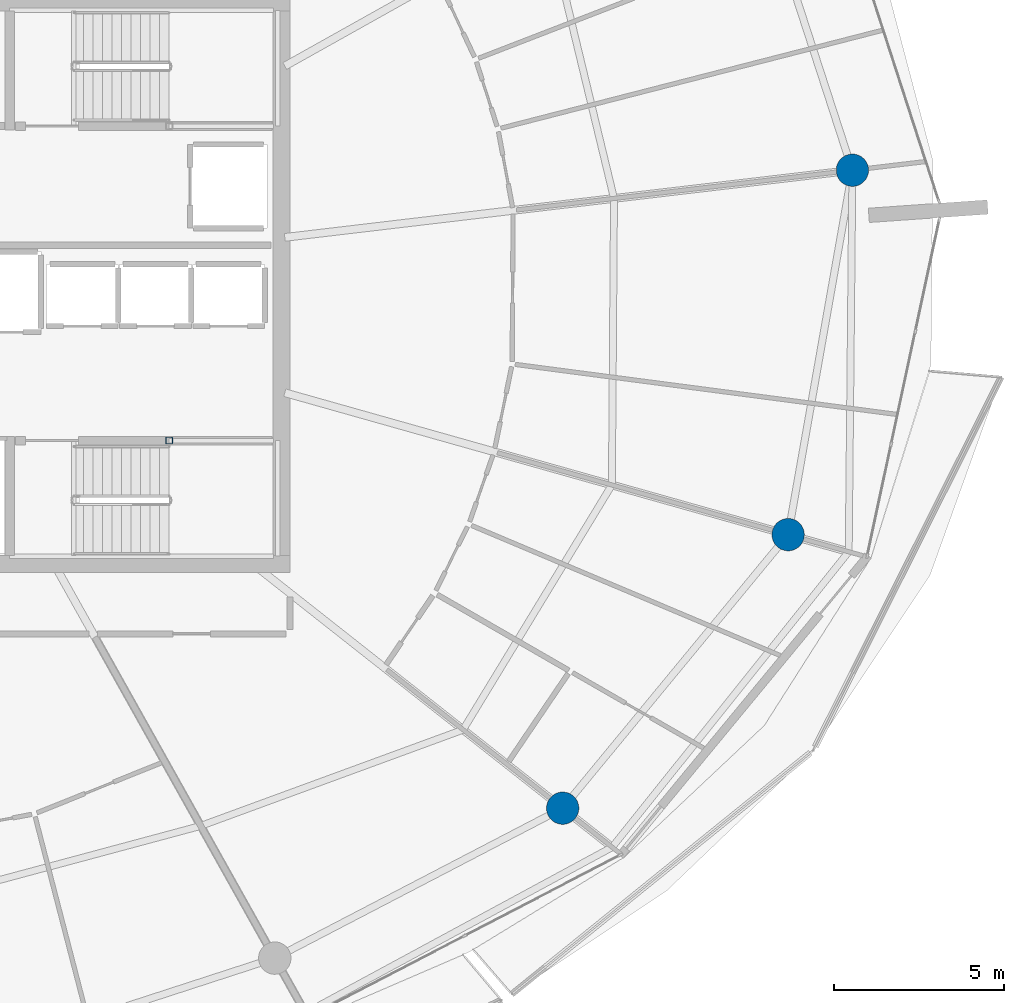
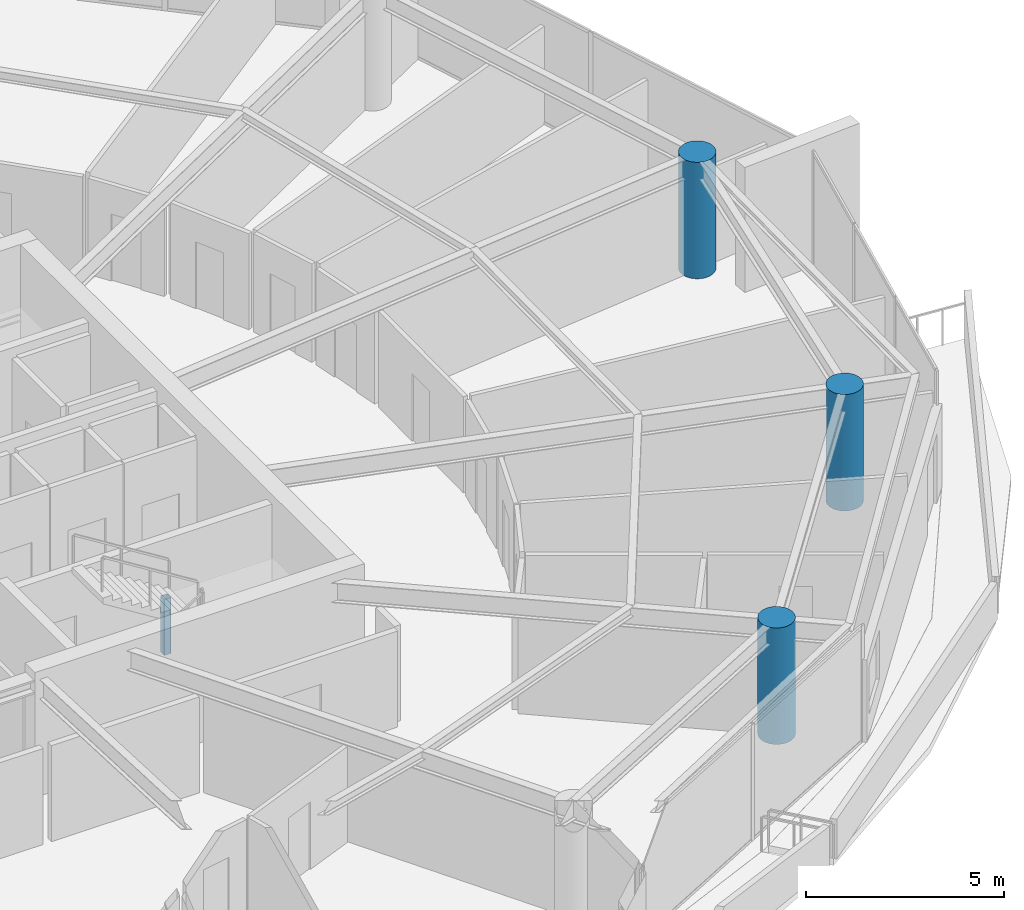
# One storey, part 3 of 30: 4 columns.
"""IFC4 building model written with IfcOpenShell, lengths in metres."""

from ifc_helpers import new_model, si_unit, direction, frame, origin, origin_2d, place, context, subcontext, project, spatial, hollow_rectangle, circle, extrude, material, material_profile, profile_set, type_object, element, save


model = new_model("IFC4")

# Units and contexts
model_context = context("Model", 3, precision=1e-05, world=origin(), true_north=direction((0.0, 1.0)))
body_context = subcontext(model_context, "Body", "Model", "MODEL_VIEW")
ifc_project = project(units=[si_unit("LENGTHUNIT", "METRE"), si_unit("AREAUNIT", "SQUARE_METRE"), si_unit("VOLUMEUNIT", "CUBIC_METRE"), si_unit("PLANEANGLEUNIT", "RADIAN"), si_unit("MASSUNIT", "GRAM", prefix="KILO")], contexts=[model_context])

# Site, building, storey
site_placement = place(None, origin())
site = spatial("IfcSite", under=ifc_project, at=site_placement, CompositionType="ELEMENT")
building_placement = place(site_placement, origin())
building = spatial("IfcBuilding", under=site, at=building_placement, Name="Kazma Halo Residences", CompositionType="ELEMENT")
storey_placement = place(building_placement, frame((0.0, 0.0, 298.300048828125)))
storey = spatial("IfcBuildingStorey", under=building, at=storey_placement, Name="L75", CompositionType="ELEMENT", Elevation=298.300048828125)

# Columns
ifc_material_1 = material(Name="Steel S355", Category="steel")
ifc_material_profile_1 = material_profile(ifc_material_1, hollow_rectangle(XDim=0.199951171875, YDim=0.199951171875, WallThickness=0.010009765625, InnerFilletRadius=0.010009765625, OuterFilletRadius=0.02001953125, at=origin_2d()), Name="SHS200x200x10")
ifc_profile_set_1 = profile_set([ifc_material_profile_1], Name="Steel S355")
column_type_1 = type_object("IfcColumnType", Name="COL-LP-SHS200", PredefinedType="COLUMN", material=ifc_profile_set_1)
column_placement = place(storey_placement, frame((56.0, 37.3798828125, 0.0), z_axis=(0.0, 0.0, 1.0), x_axis=(1.0, 0.0, 0.0)))
element("IfcColumn", 1, at=column_placement, inside=storey, type_object=column_type_1, Name="L75 ST-03 landing pilaster 1", PredefinedType="COLUMN", context=body_context, shape_type="SweptSolid", body=[
    extrude(hollow_rectangle(XDim=0.199951171875, YDim=0.199951171875, WallThickness=0.010009765625, InnerFilletRadius=0.010009765625, OuterFilletRadius=0.02001953125, at=origin_2d()), origin(), (0.0, 0.0, 1.0), 1.719970703125),
])
ifc_material_2 = material(Name="Concrete C60/75", Category="concrete")
ifc_material_profile_2 = material_profile(ifc_material_2, circle(Radius=0.47509765625, at=origin_2d()), Name="CIRC950")
ifc_profile_set_2 = profile_set([ifc_material_profile_2], Name="Concrete C60/75")
column_type_2 = type_object("IfcColumnType", Name="COL-PERIM-950", PredefinedType="COLUMN", material=ifc_profile_set_2)
for number, where, z_axis, x_axis, name in (
    (2, (67.566162109375, 26.5751953125, 0.0), (0.0, 0.0, 1.0), (1.0, 0.0, 0.0), "L75 perimeter ring column P14"),
    (3, (74.19091796875, 34.61328125, 0.0), (0.0, 0.0, 1.0), (1.0, 0.0, 0.0), "L75 perimeter ring column P15"),
    (4, (76.07958984375, 45.323486328125, 0.0), (0.0, 0.0, 1.0), (1.0, 0.0, 0.0), "L75 perimeter ring column P16"),
):
    element("IfcColumn", number, at=place(storey_placement, frame(where, z_axis=z_axis, x_axis=x_axis)), inside=storey, type_object=column_type_2, Name=name, PredefinedType="COLUMN", context=body_context, shape_type="SweptSolid", body=[
        extrude(circle(Radius=0.47509765625, at=origin_2d()), origin(), (0.0, 0.0, 1.0), 3.58984375),
    ])

save(model, "model.ifc")
